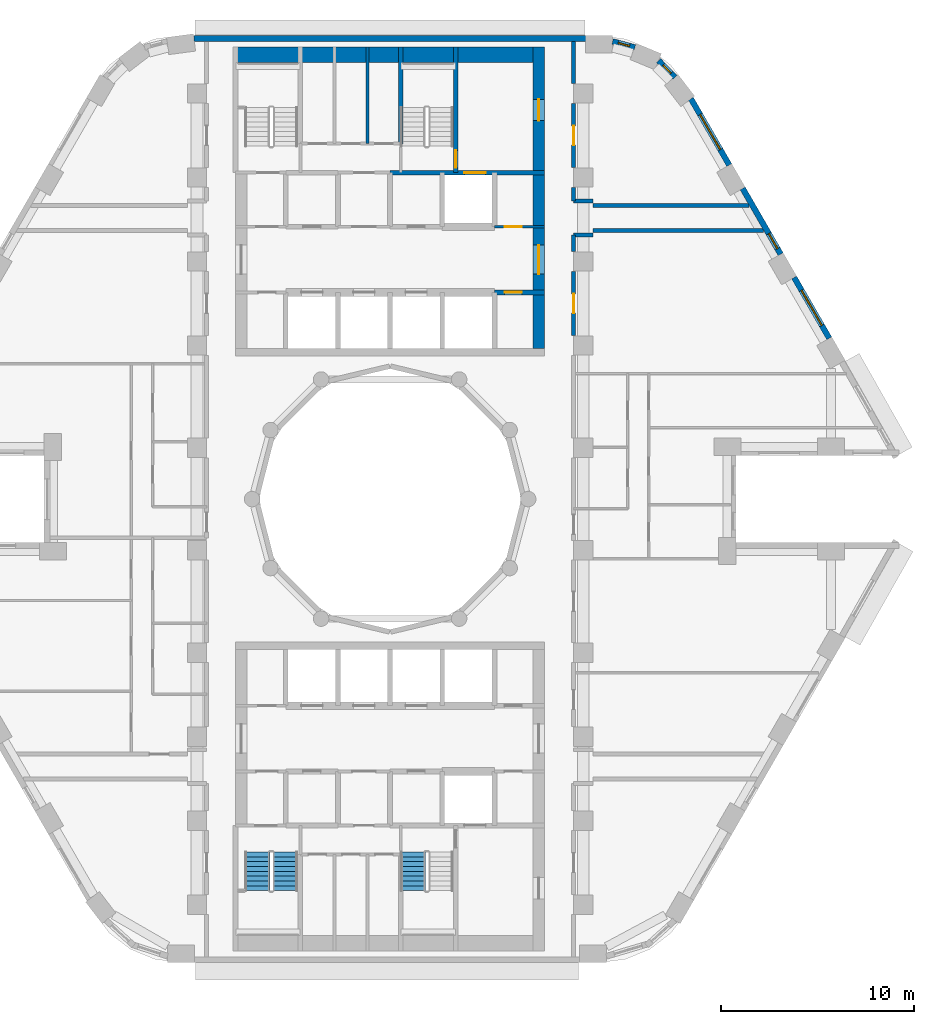
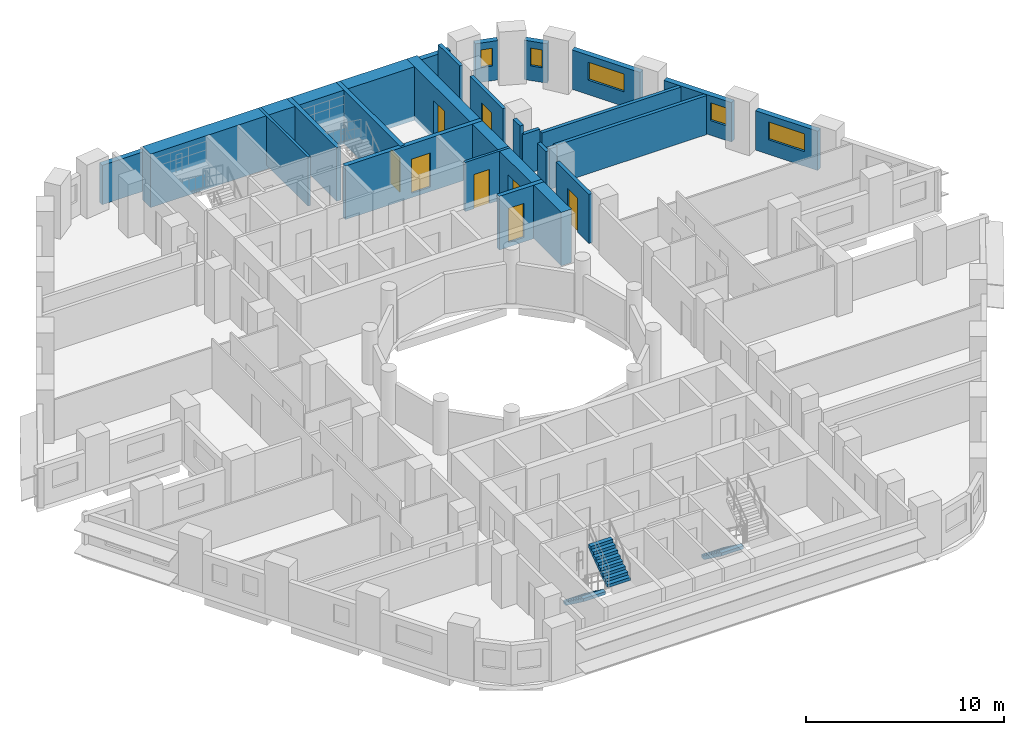
# One storey, part 8 of 12: 23 walls, 8 doors, 5 windows, 3 stair flights, 13 openings, 2 elements without a shape of their own.
"""IFC4 building model written with IfcOpenShell, lengths in metres."""

from ifc_helpers import new_model, si_unit, direction, frame, frame_2d, origin, place, context, subcontext, project, spatial, polyline, rectangle, outline, extrude, material, layer, layer_set, type_object, element, fill, aggregate, save


model = new_model("IFC4")

# Units and contexts
model_context = context("Model", 3, precision=1e-05, world=origin(), true_north=direction((0.0, 1.0)))
body_context = subcontext(model_context, "Body", "Model", "MODEL_VIEW")
ifc_project = project(units=[si_unit("LENGTHUNIT", "METRE"), si_unit("AREAUNIT", "SQUARE_METRE"), si_unit("VOLUMEUNIT", "CUBIC_METRE"), si_unit("PLANEANGLEUNIT", "RADIAN"), si_unit("MASSUNIT", "GRAM", prefix="KILO")], contexts=[model_context])

# Site, building, storey
site_placement = place(None, origin())
site = spatial("IfcSite", under=ifc_project, at=site_placement, CompositionType="ELEMENT")
building_placement = place(site_placement, origin())
building = spatial("IfcBuilding", under=site, at=building_placement, Name="Nakaniwa Court", CompositionType="ELEMENT")
storey_placement = place(building_placement, frame((0.0, 0.0, 97.5)))
storey = spatial("IfcBuildingStorey", under=building, at=storey_placement, Name="L25", CompositionType="ELEMENT", Elevation=97.5)

# Wall, opening, door
ifc_material_1 = material(Name="Acoustic double stud partition")
ifc_layer_1 = layer(ifc_material_1, 0.199951171875)
ifc_layer_set_1 = layer_set([ifc_layer_1], Name="Acoustic double stud partition")
wall_type_1 = type_object("IfcWallType", Name="Acoustic double stud partition 200", PredefinedType="PARTITIONING", material=ifc_layer_set_1)
wall_1_placement = place(storey_placement, frame((89.5, 91.782958984375, 0.0), z_axis=(0.0, 0.0, 1.0), x_axis=(0.0, -1.0, 0.0)))
wall_1 = element("IfcWall", 1, at=wall_1_placement, inside=storey, type_object=wall_type_1, Name="Partition PW-076", PredefinedType="PARTITIONING", context=body_context, shape_type="SweptSolid", body=[
    extrude(rectangle(XDim=3.31591796875, YDim=0.199951171875, at=frame_2d((1.657958984375, 0.0))), origin(), (0.0, 0.0, 1.0), 3.02490234375),
])
opening_1_placement = place(wall_1_placement, frame((1.157958984375, 0.0, 0.0)))
opening_1 = element("IfcOpeningElement", 2, at=opening_1_placement, cuts=wall_1, Name="Opening D-02-02", PredefinedType="OPENING", context=body_context, shape_type="SweptSolid", body=[
    extrude(rectangle(XDim=1.0, YDim=2.10009765625, at=frame_2d((0.5, 1.050048828125))), frame((0.0, 0.10986328125, 0.0), z_axis=(0.0, -1.0, 0.0), x_axis=(1.0, 0.0, 0.0)), (0.0, 0.0, 1.0), 0.219970703125),
])
ifc_material_2 = material(Name="Solid core timber door set, black veneer", Category="wood")
door_type_1 = type_object("IfcDoorType", Name="Internal door 1000", OperationType="NOTDEFINED", PredefinedType="DOOR", material=ifc_material_2)
door_1_placement = place(opening_1_placement, origin())
door_1 = element("IfcDoor", 3, at=door_1_placement, inside=storey, type_object=door_type_1, Name="Door D-02-02 L25-034", OperationType="SINGLE_SWING_LEFT", OverallHeight=2.10009765625, OverallWidth=1.0, PredefinedType="DOOR", context=body_context, shape_type="SweptSolid", body=[
    extrude(rectangle(XDim=1.0, YDim=2.10009765625, at=frame_2d((0.5, 1.050048828125))), frame((0.0, 0.02490234375, 0.0), z_axis=(0.0, -1.0, 0.0), x_axis=(1.0, 0.0, 0.0)), (0.0, 0.0, 1.0), 0.050048828125),
])
fill(opening_1, door_1)

# Walls
wall_2_placement = place(storey_placement, frame((89.5, 92.81689453125, 0.0), z_axis=(0.0, 0.0, 1.0), x_axis=(0.0, 1.0, 0.0)))
element("IfcWall", 4, at=wall_2_placement, inside=storey, type_object=wall_type_1, Name="Partition PW-077", PredefinedType="PARTITIONING", context=body_context, shape_type="SweptSolid", body=[
    extrude(rectangle(XDim=0.861083984375, YDim=0.199951171875, at=frame_2d((0.4306640625, 0.0))), origin(), (0.0, 0.0, 1.0), 3.02490234375),
])
wall_3_placement = place(storey_placement, frame((89.5, 95.422119140625, 0.0), z_axis=(0.0, 0.0, 1.0), x_axis=(0.0, 1.0, 0.0)))
element("IfcWall", 5, at=wall_3_placement, inside=storey, type_object=wall_type_1, Name="Partition PW-078", PredefinedType="PARTITIONING", context=body_context, shape_type="SweptSolid", body=[
    extrude(rectangle(XDim=0.7109375, YDim=0.199951171875, at=frame_2d((0.35546875, 0.0))), origin(), (0.0, 0.0, 1.0), 3.02490234375),
])

# Wall, opening, door
wall_4_placement = place(storey_placement, frame((89.5, 100.48291015625, 0.0), z_axis=(0.0, 0.0, 1.0), x_axis=(0.0, -1.0, 0.0)))
wall_4 = element("IfcWall", 6, at=wall_4_placement, inside=storey, type_object=wall_type_1, Name="Partition PW-079", PredefinedType="PARTITIONING", context=body_context, shape_type="SweptSolid", body=[
    extrude(rectangle(XDim=3.31591796875, YDim=0.199951171875, at=frame_2d((1.657958984375, 0.0))), origin(), (0.0, 0.0, 1.0), 3.02490234375),
])
opening_2_placement = place(wall_4_placement, frame((1.157958984375, 0.0, 0.0)))
opening_2 = element("IfcOpeningElement", 7, at=opening_2_placement, cuts=wall_4, Name="Opening D-02-07", PredefinedType="OPENING", context=body_context, shape_type="SweptSolid", body=[
    extrude(rectangle(XDim=1.0, YDim=2.10009765625, at=frame_2d((0.5, 1.050048828125))), frame((0.0, 0.10986328125, 0.0), z_axis=(0.0, -1.0, 0.0), x_axis=(1.0, 0.0, 0.0)), (0.0, 0.0, 1.0), 0.219970703125),
])
door_2_placement = place(opening_2_placement, origin())
door_2 = element("IfcDoor", 8, at=door_2_placement, inside=storey, type_object=door_type_1, Name="Door D-02-07 L25-049", OperationType="SINGLE_SWING_RIGHT", OverallHeight=2.10009765625, OverallWidth=1.0, PredefinedType="DOOR", context=body_context, shape_type="SweptSolid", body=[
    extrude(rectangle(XDim=1.0, YDim=2.10009765625, at=frame_2d((0.5, 1.050048828125))), frame((0.0, 0.02490234375, 0.0), z_axis=(0.0, -1.0, 0.0), x_axis=(1.0, 0.0, 0.0)), (0.0, 0.0, 1.0), 0.050048828125),
])
fill(opening_2, door_2)

# Walls
wall_5_placement = place(storey_placement, frame((89.5, 101.51708984375, 0.0), z_axis=(0.0, 0.0, 1.0), x_axis=(0.0, 1.0, 0.0)))
element("IfcWall", 9, at=wall_5_placement, inside=storey, type_object=wall_type_1, Name="Partition PW-080", PredefinedType="PARTITIONING", context=body_context, shape_type="SweptSolid", body=[
    extrude(rectangle(XDim=2.182861328125, YDim=0.199951171875, at=frame_2d((1.09130859375, 0.0))), origin(), (0.0, 0.0, 1.0), 3.02490234375),
])
wall_6_placement = place(storey_placement, frame((90.5, 93.89990234375, 0.0), z_axis=(0.0, 0.0, 1.0), x_axis=(1.0, 0.0, 0.0)))
element("IfcWall", 10, at=wall_6_placement, inside=storey, type_object=wall_type_1, Name="Partition PW-082", PredefinedType="PARTITIONING", context=body_context, shape_type="SweptSolid", body=[
    extrude(rectangle(XDim=8.84130859375, YDim=0.199951171875, at=frame_2d((4.420654296875, 0.0))), origin(), (0.0, 0.0, 1.0), 2.405029296875),
])
for number, where, z_axis, x_axis, name in (
    (11, (89.5, 93.675048828125, 0.0), (0.0, 0.0, 1.0), (1.0, 0.0, 0.0), "Partition PW-084"),
    (12, (89.5, 95.425048828125, 0.0), (0.0, 0.0, 1.0), (1.0, 0.0, 0.0), "Partition PW-086"),
):
    element("IfcWall", number, at=place(storey_placement, frame(where, z_axis=z_axis, x_axis=x_axis)), inside=storey, type_object=wall_type_1, Name=name, PredefinedType="PARTITIONING", context=body_context, shape_type="SweptSolid", body=[
        extrude(rectangle(XDim=1.0, YDim=0.199951171875, at=frame_2d((0.5, 0.0))), origin(), (0.0, 0.0, 1.0), 2.5048828125),
    ])
wall_7_placement = place(storey_placement, frame((90.5, 95.199951171875, 0.0), z_axis=(0.0, 0.0, 1.0), x_axis=(1.0, 0.0, 0.0)))
element("IfcWall", 13, at=wall_7_placement, inside=storey, type_object=wall_type_1, Name="Partition PW-088", PredefinedType="PARTITIONING", context=body_context, shape_type="SweptSolid", body=[
    extrude(rectangle(XDim=8.0908203125, YDim=0.199951171875, at=frame_2d((4.04541015625, 0.0))), origin(), (0.0, 0.0, 1.0), 2.405029296875),
])

# Wall, opening, window
ifc_material_3 = material(Name="Charcoal ceramic cladding")
ifc_layer_2 = layer(ifc_material_3, 0.02, Name="Ceramic cladding")
ifc_material_4 = material(Name="Ventilated air cavity")
ifc_layer_3 = layer(ifc_material_4, 0.04, ventilated=True, Name="Ventilated cavity")
ifc_material_5 = material(Name="Mineral wool insulation")
ifc_layer_4 = layer(ifc_material_5, 0.1, Name="Insulation")
ifc_material_6 = material(Name="Cement bonded sheathing board")
ifc_layer_5 = layer(ifc_material_6, 0.012, Name="Sheathing")
ifc_material_7 = material(Name="Cold-formed galvanised stud frame with mineral wool infill")
ifc_layer_6 = layer(ifc_material_7, 0.1, Name="Stud frame")
ifc_material_8 = material(Name="Fire-rated gypsum plasterboard lining")
ifc_layer_7 = layer(ifc_material_8, 0.028, Name="Lining")
ifc_layer_set_2 = layer_set([ifc_layer_2, ifc_layer_3, ifc_layer_4, ifc_layer_5, ifc_layer_6, ifc_layer_7], Name="Charcoal ceramic faced external wall system")
wall_type_2 = type_object("IfcWallType", Name="Black ceramic faced external wall 300", PredefinedType="SOLIDWALL", material=ifc_layer_set_2)
wall_8_placement = place(storey_placement, frame((102.734619140625, 88.322509765625, 0.0), z_axis=(0.0, 0.0, 1.0), x_axis=(-0.500009139881, 0.866020126807, 0.0)))
wall_8 = element("IfcWall", 14, at=wall_8_placement, inside=storey, type_object=wall_type_2, Name="L25 external wall 03", PredefinedType="SOLIDWALL", context=body_context, shape_type="SweptSolid", body=[
    extrude(rectangle(XDim=3.63671875, YDim=0.300048828125, at=frame_2d((1.818359375, 0.0))), origin(), (0.0, 0.0, 1.0), 2.425048828125),
])
opening_3_placement = place(wall_8_placement, frame((0.768310546875, 0.0, 0.89990234375)))
opening_3 = element("IfcOpeningElement", 15, at=opening_3_placement, cuts=wall_8, Name="Opening W7.05", PredefinedType="OPENING", context=body_context, shape_type="SweptSolid", body=[
    extrude(rectangle(XDim=2.10009765625, YDim=1.10009765625, at=frame_2d((1.050048828125, 0.550048828125))), frame((0.0, 0.159912109375, 0.0), z_axis=(0.0, -1.0, 0.0), x_axis=(1.0, 0.0, 0.0)), (0.0, 0.0, 1.0), 0.320068359375),
])
ifc_material_9 = material(Name="Black anodised aluminium frame with dark low-E laminated double glazing", Category="aluminium")
window_type_1 = type_object("IfcWindowType", Name="Dark glass window 2100x1100 sill 900", PartitioningType="SINGLE_PANEL", PredefinedType="WINDOW", material=ifc_material_9)
window_1_placement = place(opening_3_placement, origin())
window_1 = element("IfcWindow", 16, at=window_1_placement, inside=storey, type_object=window_type_1, Name="L25 habitable room window 03-0", OverallHeight=1.10009765625, OverallWidth=2.10009765625, PartitioningType="SINGLE_PANEL", PredefinedType="WINDOW", context=body_context, shape_type="SweptSolid", body=[
    extrude(rectangle(XDim=2.10009765625, YDim=1.10009765625, at=frame_2d((1.050048828125, 0.550048828125))), frame((0.0, 0.030029296875, 0.0), z_axis=(0.0, -1.0, 0.0), x_axis=(1.0, 0.0, 0.0)), (0.0, 0.0, 1.0), 0.06005859375),
])
fill(opening_3, window_1)

wall_9_placement = place(storey_placement, frame((100.22021484375, 92.677490234375, 0.0), z_axis=(0.0, 0.0, 1.0), x_axis=(-0.499957037901, 0.866050206543, 0.0)))
wall_9 = element("IfcWall", 17, at=wall_9_placement, inside=storey, type_object=wall_type_2, Name="L25 external wall 04", PredefinedType="SOLIDWALL", context=body_context, shape_type="SweptSolid", body=[
    extrude(rectangle(XDim=3.933837890625, YDim=0.300048828125, at=frame_2d((1.966796875, 0.0))), origin(), (0.0, 0.0, 1.0), 2.425048828125),
])
opening_4_placement = place(wall_9_placement, frame((0.329833984375, 0.0, 0.89990234375)))
opening_4 = element("IfcOpeningElement", 18, at=opening_4_placement, cuts=wall_9, Name="Opening W9.06", PredefinedType="OPENING", context=body_context, shape_type="SweptSolid", body=[
    extrude(rectangle(XDim=0.89990234375, YDim=1.10009765625, at=frame_2d((0.449951171875, 0.550048828125))), frame((0.0, 0.159912109375, 0.0), z_axis=(0.0, -1.0, 0.0), x_axis=(1.0, 0.0, 0.0)), (0.0, 0.0, 1.0), 0.320068359375),
])
window_type_2 = type_object("IfcWindowType", Name="Dark glass window 900x1100 sill 900", PartitioningType="SINGLE_PANEL", PredefinedType="WINDOW", material=ifc_material_9)
window_2_placement = place(opening_4_placement, origin())
window_2 = element("IfcWindow", 19, at=window_2_placement, inside=storey, type_object=window_type_2, Name="L25 habitable room window 04-0", OverallHeight=1.10009765625, OverallWidth=0.89990234375, PartitioningType="SINGLE_PANEL", PredefinedType="WINDOW", context=body_context, shape_type="SweptSolid", body=[
    extrude(rectangle(XDim=0.89990234375, YDim=1.10009765625, at=frame_2d((0.449951171875, 0.550048828125))), frame((0.0, 0.030029296875, 0.0), z_axis=(0.0, -1.0, 0.0), x_axis=(1.0, 0.0, 0.0)), (0.0, 0.0, 1.0), 0.06005859375),
])
fill(opening_4, window_2)

wall_10_placement = place(storey_placement, frame((97.557373046875, 97.289794921875, 0.0), z_axis=(0.0, 0.0, 1.0), x_axis=(-0.500043828347, 0.866000097998, 0.0)))
wall_10 = element("IfcWall", 20, at=wall_10_placement, inside=storey, type_object=wall_type_2, Name="L25 external wall 05", PredefinedType="SOLIDWALL", context=body_context, shape_type="SweptSolid", body=[
    extrude(rectangle(XDim=3.967529296875, YDim=0.300048828125, at=frame_2d((1.98388671875, 0.0))), origin(), (0.0, 0.0, 1.0), 2.425048828125),
])
opening_5_placement = place(wall_10_placement, frame((0.92236328125, 0.0, 0.89990234375)))
opening_5 = element("IfcOpeningElement", 21, at=opening_5_placement, cuts=wall_10, Name="Opening W7.07", PredefinedType="OPENING", context=body_context, shape_type="SweptSolid", body=[
    extrude(rectangle(XDim=2.10009765625, YDim=1.10009765625, at=frame_2d((1.050048828125, 0.550048828125))), frame((0.0, 0.159912109375, 0.0), z_axis=(0.0, -1.0, 0.0), x_axis=(1.0, 0.0, 0.0)), (0.0, 0.0, 1.0), 0.320068359375),
])
window_3_placement = place(opening_5_placement, origin())
window_3 = element("IfcWindow", 22, at=window_3_placement, inside=storey, type_object=window_type_1, Name="L25 habitable room window 05-0", OverallHeight=1.10009765625, OverallWidth=2.10009765625, PartitioningType="SINGLE_PANEL", PredefinedType="WINDOW", context=body_context, shape_type="SweptSolid", body=[
    extrude(rectangle(XDim=2.10009765625, YDim=1.10009765625, at=frame_2d((1.050048828125, 0.550048828125))), frame((0.0, 0.030029296875, 0.0), z_axis=(0.0, -1.0, 0.0), x_axis=(1.0, 0.0, 0.0)), (0.0, 0.0, 1.0), 0.06005859375),
])
fill(opening_5, window_3)

wall_11_placement = place(storey_placement, frame((94.738037109375, 101.839111328125, 0.0), z_axis=(0.0, 0.0, 1.0), x_axis=(-0.697032216592, 0.717039809936, 0.0)))
wall_11 = element("IfcWall", 23, at=wall_11_placement, inside=storey, type_object=wall_type_2, Name="L25 external wall 06", PredefinedType="SOLIDWALL", context=body_context, shape_type="SweptSolid", body=[
    extrude(rectangle(XDim=1.2080078125, YDim=0.300048828125, at=frame_2d((0.60400390625, 0.0))), origin(), (0.0, 0.0, 1.0), 2.425048828125),
])
opening_6_placement = place(wall_11_placement, frame((0.279296875, 0.0, 0.89990234375)))
opening_6 = element("IfcOpeningElement", 24, at=opening_6_placement, cuts=wall_11, Name="Opening W8.08", PredefinedType="OPENING", context=body_context, shape_type="SweptSolid", body=[
    extrude(rectangle(XDim=0.60009765625, YDim=1.10009765625, at=frame_2d((0.300048828125, 0.550048828125))), frame((0.0, 0.159912109375, 0.0), z_axis=(0.0, -1.0, 0.0), x_axis=(1.0, 0.0, 0.0)), (0.0, 0.0, 1.0), 0.320068359375),
])
window_type_3 = type_object("IfcWindowType", Name="Dark glass window 600x1100 sill 900", PartitioningType="SINGLE_PANEL", PredefinedType="WINDOW", material=ifc_material_9)
window_4_placement = place(opening_6_placement, origin())
window_4 = element("IfcWindow", 25, at=window_4_placement, inside=storey, type_object=window_type_3, Name="L25 habitable room window 06-0", OverallHeight=1.10009765625, OverallWidth=0.60009765625, PartitioningType="SINGLE_PANEL", PredefinedType="WINDOW", context=body_context, shape_type="SweptSolid", body=[
    extrude(rectangle(XDim=0.60009765625, YDim=1.10009765625, at=frame_2d((0.300048828125, 0.550048828125))), frame((0.0, 0.030029296875, 0.0), z_axis=(0.0, -1.0, 0.0), x_axis=(1.0, 0.0, 0.0)), (0.0, 0.0, 1.0), 0.06005859375),
])
fill(opening_6, window_4)

wall_12_placement = place(storey_placement, frame((92.669189453125, 103.3818359375, 0.0), z_axis=(0.0, 0.0, 1.0), x_axis=(-0.965278131029, 0.261224290136, 0.0)))
wall_12 = element("IfcWall", 26, at=wall_12_placement, inside=storey, type_object=wall_type_2, Name="L25 external wall 07", PredefinedType="SOLIDWALL", context=body_context, shape_type="SweptSolid", body=[
    extrude(rectangle(XDim=1.189697265625, YDim=0.300048828125, at=frame_2d((0.5947265625, 0.0))), origin(), (0.0, 0.0, 1.0), 2.425048828125),
])
opening_7_placement = place(wall_12_placement, frame((0.28466796875, 0.0, 0.89990234375)))
opening_7 = element("IfcOpeningElement", 27, at=opening_7_placement, cuts=wall_12, Name="Opening W8.09", PredefinedType="OPENING", context=body_context, shape_type="SweptSolid", body=[
    extrude(rectangle(XDim=0.60009765625, YDim=1.10009765625, at=frame_2d((0.300048828125, 0.550048828125))), frame((0.0, 0.159912109375, 0.0), z_axis=(0.0, -1.0, 0.0), x_axis=(1.0, 0.0, 0.0)), (0.0, 0.0, 1.0), 0.320068359375),
])
window_5_placement = place(opening_7_placement, origin())
window_5 = element("IfcWindow", 28, at=window_5_placement, inside=storey, type_object=window_type_3, Name="L25 habitable room window 07-0", OverallHeight=1.10009765625, OverallWidth=0.60009765625, PartitioningType="SINGLE_PANEL", PredefinedType="WINDOW", context=body_context, shape_type="SweptSolid", body=[
    extrude(rectangle(XDim=0.60009765625, YDim=1.10009765625, at=frame_2d((0.300048828125, 0.550048828125))), frame((0.0, 0.030029296875, 0.0), z_axis=(0.0, -1.0, 0.0), x_axis=(1.0, 0.0, 0.0)), (0.0, 0.0, 1.0), 0.06005859375),
])
fill(opening_7, window_5)

# Wall
wall_13_placement = place(storey_placement, frame((90.128662109375, 103.85009765625, 0.0), z_axis=(0.0, 0.0, 1.0), x_axis=(-1.0, 0.0, 0.0)))
element("IfcWall", 29, at=wall_13_placement, inside=storey, type_object=wall_type_2, Name="L25 external wall 08", PredefinedType="SOLIDWALL", context=body_context, shape_type="SweptSolid", body=[
    extrude(rectangle(XDim=20.290771484375, YDim=0.300048828125, at=frame_2d((10.1455078125, 0.0))), origin(), (0.0, 0.0, 1.0), 2.425048828125),
])

# Wall, opening, door
ifc_material_10 = material(Name="Blockwork partition", Category="masonry")
ifc_layer_8 = layer(ifc_material_10, 0.14990234375)
ifc_layer_set_3 = layer_set([ifc_layer_8], Name="Blockwork partition")
wall_type_3 = type_object("IfcWallType", Name="Blockwork partition 150", PredefinedType="PARTITIONING", material=ifc_layer_set_3)
wall_14_placement = place(storey_placement, frame((85.39697265625, 94.10009765625, 0.0), z_axis=(0.0, 0.0, 1.0), x_axis=(1.0, 0.0, 0.0)))
wall_14 = element("IfcWall", 30, at=wall_14_placement, inside=storey, type_object=wall_type_3, Name="Partition PW-018", PredefinedType="PARTITIONING", context=body_context, shape_type="SweptSolid", body=[
    extrude(rectangle(XDim=2.60302734375, YDim=0.14990234375, at=frame_2d((1.301513671875, 0.0))), origin(), (0.0, 0.0, 1.0), 3.02490234375),
])
opening_8_placement = place(wall_14_placement, frame((0.528076171875, 0.0, 0.0)))
opening_8 = element("IfcOpeningElement", 31, at=opening_8_placement, cuts=wall_14, Name="Opening D-05-05", PredefinedType="OPENING", context=body_context, shape_type="SweptSolid", body=[
    extrude(rectangle(XDim=0.89990234375, YDim=2.10009765625, at=frame_2d((0.449951171875, 1.050048828125))), frame((0.0, 0.0849609375, 0.0), z_axis=(0.0, -1.0, 0.0), x_axis=(1.0, 0.0, 0.0)), (0.0, 0.0, 1.0), 0.169921875),
])
ifc_material_11 = material(Name="Fire rated steel door set", Category="steel")
door_type_2 = type_object("IfcDoorType", Name="Service room door 900", OperationType="NOTDEFINED", PredefinedType="DOOR", material=ifc_material_11)
door_3_placement = place(opening_8_placement, origin())
door_3 = element("IfcDoor", 32, at=door_3_placement, inside=storey, type_object=door_type_2, Name="Door D-05-05 L25-007", OperationType="SINGLE_SWING_RIGHT", OverallHeight=2.10009765625, OverallWidth=0.89990234375, PredefinedType="DOOR", context=body_context, shape_type="SweptSolid", body=[
    extrude(rectangle(XDim=0.89990234375, YDim=2.10009765625, at=frame_2d((0.449951171875, 1.050048828125))), frame((0.0, 0.02490234375, 0.0), z_axis=(0.0, -1.0, 0.0), x_axis=(1.0, 0.0, 0.0)), (0.0, 0.0, 1.0), 0.050048828125),
])
fill(opening_8, door_3)

# Wall
wall_15_placement = place(storey_placement, frame((78.833984375, 98.39990234375, 0.0), z_axis=(0.0, 0.0, 1.0), x_axis=(0.0, 1.0, 0.0)))
element("IfcWall", 33, at=wall_15_placement, inside=storey, type_object=wall_type_3, Name="Partition PW-034", PredefinedType="PARTITIONING", context=body_context, shape_type="SweptSolid", body=[
    extrude(rectangle(XDim=5.0, YDim=0.14990234375, at=frame_2d((2.5, 0.0))), origin(), (0.0, 0.0, 1.0), 3.02490234375),
])

# Wall, openings, doors
ifc_material_12 = material(Name="Concrete C80/100", Category="concrete")
ifc_layer_9 = layer(ifc_material_12, 0.60009765625)
ifc_layer_set_4 = layer_set([ifc_layer_9], Name="Concrete C80/100")
wall_type_4 = type_object("IfcWallType", Name="Concrete core side wall 600 C80", PredefinedType="SHEAR", material=ifc_layer_set_4)
wall_16_placement = place(storey_placement, frame((87.699951171875, 103.39990234375, -0.27490234375), z_axis=(0.0, 0.0, 1.0), x_axis=(0.0, -1.0, 0.0)))
wall_16 = element("IfcWall", 34, at=wall_16_placement, inside=storey, type_object=wall_type_4, Name="Core wall SW-15", PredefinedType="SHEAR", context=body_context, shape_type="SweptSolid", body=[
    extrude(rectangle(XDim=15.599853515625, YDim=0.60009765625, at=frame_2d((7.7998046875, 0.0))), origin(), (0.0, 0.0, 1.0), 3.2998046875),
])
opening_9_placement = place(wall_16_placement, frame((10.25, 0.0, 0.27490234375)))
opening_9 = element("IfcOpeningElement", 35, at=opening_9_placement, cuts=wall_16, Name="Opening D-07-01", PredefinedType="OPENING", context=body_context, shape_type="SweptSolid", body=[
    extrude(rectangle(XDim=1.5, YDim=2.10009765625, at=frame_2d((0.75, 1.050048828125))), frame((0.0, 0.31005859375, 0.0), z_axis=(0.0, -1.0, 0.0), x_axis=(1.0, 0.0, 0.0)), (0.0, 0.0, 1.0), 0.6201171875),
])
opening_10_placement = place(wall_16_placement, frame((2.699951171875, 0.0, 0.27490234375)))
opening_10 = element("IfcOpeningElement", 36, at=opening_10_placement, cuts=wall_16, Name="Opening D-10-01", PredefinedType="OPENING", context=body_context, shape_type="SweptSolid", body=[
    extrude(rectangle(XDim=1.10009765625, YDim=2.10009765625, at=frame_2d((0.550048828125, 1.050048828125))), frame((0.0, 0.31005859375, 0.0), z_axis=(0.0, -1.0, 0.0), x_axis=(1.0, 0.0, 0.0)), (0.0, 0.0, 1.0), 0.6201171875),
])
door_type_3 = type_object("IfcDoorType", Name="Firefighting lobby door 1100", OperationType="NOTDEFINED", PredefinedType="DOOR", material=ifc_material_11)
door_4_placement = place(opening_10_placement, origin())
door_4 = element("IfcDoor", 37, at=door_4_placement, inside=storey, type_object=door_type_3, Name="Door D-10-01 L25-053", OperationType="SINGLE_SWING_RIGHT", OverallHeight=2.10009765625, OverallWidth=1.10009765625, PredefinedType="DOOR", context=body_context, shape_type="SweptSolid", body=[
    extrude(rectangle(XDim=1.10009765625, YDim=2.10009765625, at=frame_2d((0.550048828125, 1.050048828125))), frame((0.0, 0.02490234375, 0.0), z_axis=(0.0, -1.0, 0.0), x_axis=(1.0, 0.0, 0.0)), (0.0, 0.0, 1.0), 0.050048828125),
])
fill(opening_10, door_4)
ifc_material_13 = material(Name="Glazed fire rated steel double door set", Category="steel")
door_type_4 = type_object("IfcDoorType", Name="Lobby double door 1500", OperationType="NOTDEFINED", PredefinedType="DOOR", material=ifc_material_13)
door_5_placement = place(opening_9_placement, origin())
door_5 = element("IfcDoor", 38, at=door_5_placement, inside=storey, type_object=door_type_4, Name="Door D-07-01 L25-051", OperationType="DOUBLE_DOOR_SINGLE_SWING", OverallHeight=2.10009765625, OverallWidth=1.5, PredefinedType="DOOR", context=body_context, shape_type="SweptSolid", body=[
    extrude(rectangle(XDim=1.5, YDim=2.10009765625, at=frame_2d((0.75, 1.050048828125))), frame((0.0, 0.02490234375, 0.0), z_axis=(0.0, -1.0, 0.0), x_axis=(1.0, 0.0, 0.0)), (0.0, 0.0, 1.0), 0.050048828125),
])
fill(opening_9, door_5)

# Wall
ifc_layer_10 = layer(ifc_material_12, 0.800048828125)
ifc_layer_set_5 = layer_set([ifc_layer_10], Name="Concrete C80/100")
wall_type_5 = type_object("IfcWallType", Name="Concrete core wall 800 C80", PredefinedType="SHEAR", material=ifc_layer_set_5)
wall_17_placement = place(storey_placement, frame((72.00390625, 103.0, -0.27490234375), z_axis=(0.0, 0.0, 1.0), x_axis=(1.0, 0.0, 0.0)))
element("IfcWall", 39, at=wall_17_placement, inside=storey, type_object=wall_type_5, Name="Core wall SW-130", PredefinedType="SHEAR", context=body_context, shape_type="SweptSolid", body=[
    extrude(rectangle(XDim=15.9921875, YDim=0.800048828125, at=frame_2d((7.99609375, 0.0))), origin(), (0.0, 0.0, 1.0), 3.2998046875),
])

# Wall, opening, door
ifc_layer_11 = layer(ifc_material_12, 0.25)
ifc_layer_set_6 = layer_set([ifc_layer_11], Name="Concrete C80/100")
wall_type_6 = type_object("IfcWallType", Name="Concrete shaft wall 250 C80", PredefinedType="SHEAR", material=ifc_layer_set_6)
wall_18_placement = place(storey_placement, frame((88.0, 90.699951171875, -0.27490234375), z_axis=(0.0, 0.0, 1.0), x_axis=(-1.0, 0.0, 0.0)))
wall_18 = element("IfcWall", 40, at=wall_18_placement, inside=storey, type_object=wall_type_6, Name="Core wall SW-14", PredefinedType="SHEAR", context=body_context, shape_type="SweptSolid", body=[
    extrude(rectangle(XDim=2.60009765625, YDim=0.25, at=frame_2d((1.300048828125, 0.0))), origin(), (0.0, 0.0, 1.0), 3.2998046875),
])
opening_11_placement = place(wall_18_placement, frame((1.175048828125, 0.0, 0.27490234375)))
opening_11 = element("IfcOpeningElement", 41, at=opening_11_placement, cuts=wall_18, Name="Opening D-05-02", PredefinedType="OPENING", context=body_context, shape_type="SweptSolid", body=[
    extrude(rectangle(XDim=0.89990234375, YDim=2.10009765625, at=frame_2d((0.449951171875, 1.050048828125))), frame((0.0, 0.135009765625, 0.0), z_axis=(0.0, -1.0, 0.0), x_axis=(1.0, 0.0, 0.0)), (0.0, 0.0, 1.0), 0.27001953125),
])
door_6_placement = place(opening_11_placement, origin())
door_6 = element("IfcDoor", 42, at=door_6_placement, inside=storey, type_object=door_type_2, Name="Door D-05-02 L25-002", OperationType="SINGLE_SWING_LEFT", OverallHeight=2.10009765625, OverallWidth=0.89990234375, PredefinedType="DOOR", context=body_context, shape_type="SweptSolid", body=[
    extrude(rectangle(XDim=0.89990234375, YDim=2.10009765625, at=frame_2d((0.449951171875, 1.050048828125))), frame((0.0, 0.02490234375, 0.0), z_axis=(0.0, -1.0, 0.0), x_axis=(1.0, 0.0, 0.0)), (0.0, 0.0, 1.0), 0.050048828125),
])
fill(opening_11, door_6)

wall_19_placement = place(storey_placement, frame((80.0, 96.89990234375, -0.27490234375), z_axis=(0.0, 0.0, 1.0), x_axis=(1.0, 0.0, 0.0)))
wall_19 = element("IfcWall", 43, at=wall_19_placement, inside=storey, type_object=wall_type_6, Name="Core wall SW-24", PredefinedType="SHEAR", context=body_context, shape_type="SweptSolid", body=[
    extrude(rectangle(XDim=8.0, YDim=0.25, at=frame_2d((4.0, 0.0))), origin(), (0.0, 0.0, 1.0), 3.2998046875),
])
opening_12_placement = place(wall_19_placement, frame((3.84912109375, 0.0, 0.27490234375)))
opening_12 = element("IfcOpeningElement", 44, at=opening_12_placement, cuts=wall_19, Name="Opening LD04", PredefinedType="OPENING", context=body_context, shape_type="SweptSolid", body=[
    extrude(rectangle(XDim=1.10009765625, YDim=2.10009765625, at=frame_2d((0.550048828125, 1.050048828125))), frame((0.0, 0.135009765625, 0.0), z_axis=(0.0, -1.0, 0.0), x_axis=(1.0, 0.0, 0.0)), (0.0, 0.0, 1.0), 0.27001953125),
])
ifc_material_14 = material(Name="Stainless steel sliding lift landing door", Category="steel")
door_type_5 = type_object("IfcDoorType", Name="Lift landing door 1100", OperationType="NOTDEFINED", PredefinedType="DOOR", material=ifc_material_14)
door_7_placement = place(opening_12_placement, origin())
door_7 = element("IfcDoor", 45, at=door_7_placement, inside=storey, type_object=door_type_5, Name="Lift landing door LD04 L25-004", OperationType="SLIDING_TO_LEFT", OverallHeight=2.10009765625, OverallWidth=1.10009765625, PredefinedType="DOOR", context=body_context, shape_type="SweptSolid", body=[
    extrude(rectangle(XDim=1.10009765625, YDim=2.10009765625, at=frame_2d((0.550048828125, 1.050048828125))), frame((0.0, 0.02490234375, 0.0), z_axis=(0.0, -1.0, 0.0), x_axis=(1.0, 0.0, 0.0)), (0.0, 0.0, 1.0), 0.050048828125),
])
fill(opening_12, door_7)

wall_20_placement = place(storey_placement, frame((83.39990234375, 103.39990234375, -0.27490234375), z_axis=(0.0, 0.0, 1.0), x_axis=(0.0, -1.0, 0.0)))
wall_20 = element("IfcWall", 46, at=wall_20_placement, inside=storey, type_object=wall_type_6, Name="Core wall SW-29", PredefinedType="SHEAR", context=body_context, shape_type="SweptSolid", body=[
    extrude(rectangle(XDim=6.5, YDim=0.25, at=frame_2d((3.25, 0.0))), origin(), (0.0, 0.0, 1.0), 3.2998046875),
])
opening_13_placement = place(wall_20_placement, frame((5.35009765625, 0.0, 0.27490234375)))
opening_13 = element("IfcOpeningElement", 47, at=opening_13_placement, cuts=wall_20, Name="Opening D-11-01", PredefinedType="OPENING", context=body_context, shape_type="SweptSolid", body=[
    extrude(rectangle(XDim=0.89990234375, YDim=2.10009765625, at=frame_2d((0.449951171875, 1.050048828125))), frame((0.0, 0.135009765625, 0.0), z_axis=(0.0, -1.0, 0.0), x_axis=(1.0, 0.0, 0.0)), (0.0, 0.0, 1.0), 0.27001953125),
])
door_type_6 = type_object("IfcDoorType", Name="Stair door 900", OperationType="NOTDEFINED", PredefinedType="DOOR", material=ifc_material_11)
door_8_placement = place(opening_13_placement, origin())
door_8 = element("IfcDoor", 48, at=door_8_placement, inside=storey, type_object=door_type_6, Name="Door D-11-01 L25-013", OperationType="SINGLE_SWING_LEFT", OverallHeight=2.10009765625, OverallWidth=0.89990234375, PredefinedType="DOOR", context=body_context, shape_type="SweptSolid", body=[
    extrude(rectangle(XDim=0.89990234375, YDim=2.10009765625, at=frame_2d((0.449951171875, 1.050048828125))), frame((0.0, 0.02490234375, 0.0), z_axis=(0.0, -1.0, 0.0), x_axis=(1.0, 0.0, 0.0)), (0.0, 0.0, 1.0), 0.050048828125),
])
fill(opening_13, door_8)

# Wall
wall_21_placement = place(storey_placement, frame((80.550048828125, 98.39697265625, -0.27490234375), z_axis=(0.0, 0.0, 1.0), x_axis=(0.0, 1.0, 0.0)))
element("IfcWall", 49, at=wall_21_placement, inside=storey, type_object=wall_type_6, Name="Core wall SW-31", PredefinedType="SHEAR", context=body_context, shape_type="SweptSolid", body=[
    extrude(rectangle(XDim=5.0029296875, YDim=0.25, at=frame_2d((2.50146484375, 0.0))), origin(), (0.0, 0.0, 1.0), 3.2998046875),
])

# Stair, stair flights
stair_type = type_object("IfcStairType", Name="Dog leg stair 1300 wide 18 risers", PredefinedType="HALF_TURN_STAIR", material=ifc_material_12)
stair_1_placement = place(storey_placement, origin())
stair_1 = element("IfcStair", 50, at=stair_1_placement, inside=storey, type_object=stair_type, Name="L25 Stair ST3", PredefinedType="HALF_TURN_STAIR")
stair_flight_type = type_object("IfcStairFlightType", Name="Stair flight 1300 wide 9 risers", PredefinedType="STRAIGHT", material=ifc_material_12)
stair_flight_1_placement = place(storey_placement, frame((73.125, 61.72509765625, 0.0), z_axis=(0.0, 0.0, 1.0), x_axis=(0.0, -1.0, 0.0)))
stair_flight_1 = element("IfcStairFlight", 51, at=stair_flight_1_placement, type_object=stair_flight_type, Name="ST3 flight 1", NumberOfRisers=9, NumberOfTreads=8, PredefinedType="STRAIGHT", RiserHeight=0.183333333, TreadLength=0.25, context=body_context, shape_type="SweptSolid", body=[
    extrude(outline(polyline([(0.0, 0.0), (0.0, 0.026123046875), (0.0, 0.052490234375), (0.0, 0.07861328125), (0.0, 0.104736328125), (0.0, 0.130859375), (0.0, 0.1572265625), (0.0, 0.183349609375), (0.25, 0.183349609375), (0.25, 0.36669921875), (0.5, 0.36669921875), (0.5, 0.550048828125), (0.75, 0.550048828125), (0.75, 0.7333984375), (1.0, 0.7333984375), (1.0, 0.916748046875), (1.25, 0.916748046875), (1.25, 1.10009765625), (1.5, 1.10009765625), (1.5, 1.283447265625), (1.75, 1.283447265625), (1.75, 1.466552734375), (2.0, 1.466552734375), (2.0, 1.64990234375), (2.0, 1.59716796875), (2.0, 1.54443359375), (2.0, 1.49169921875), (2.0, 1.43896484375), (2.0, 1.38623046875), (2.0, 1.33349609375), (2.0, 1.28076171875), (0.25341796875, 0.0), (0.0, 0.0)])), frame((0.0, 0.64990234375, 0.0), z_axis=(0.0, -1.0, 0.0), x_axis=(1.0, 0.0, 0.0)), (0.0, 0.0, 1.0), 1.300048828125),
])
stair_flight_2_placement = place(storey_placement, frame((74.574951171875, 59.72509765625, 1.64990234375), z_axis=(0.0, 0.0, 1.0), x_axis=(0.0, 1.0, 0.0)))
stair_flight_2 = element("IfcStairFlight", 52, at=stair_flight_2_placement, type_object=stair_flight_type, Name="ST3 flight 2", NumberOfRisers=9, NumberOfTreads=8, PredefinedType="STRAIGHT", RiserHeight=0.183333333, TreadLength=0.25, context=body_context, shape_type="SweptSolid", body=[
    extrude(outline(polyline([(0.0, 0.0), (0.0, 0.026123046875), (0.0, 0.052490234375), (0.0, 0.07861328125), (0.0, 0.104736328125), (0.0, 0.130859375), (0.0, 0.1572265625), (0.0, 0.183349609375), (0.25, 0.183349609375), (0.25, 0.36669921875), (0.5, 0.36669921875), (0.5, 0.550048828125), (0.75, 0.550048828125), (0.75, 0.7333984375), (1.0, 0.7333984375), (1.0, 0.916748046875), (1.25, 0.916748046875), (1.25, 1.10009765625), (1.5, 1.10009765625), (1.5, 1.283447265625), (1.75, 1.283447265625), (1.75, 1.466552734375), (2.0, 1.466552734375), (2.0, 1.64990234375), (2.0, 1.59716796875), (2.0, 1.54443359375), (2.0, 1.49169921875), (2.0, 1.43896484375), (2.0, 1.38623046875), (2.0, 1.33349609375), (2.0, 1.28076171875), (0.25341796875, 0.0), (0.0, 0.0)])), frame((0.0, 0.64990234375, 0.0), z_axis=(0.0, -1.0, 0.0), x_axis=(1.0, 0.0, 0.0)), (0.0, 0.0, 1.0), 1.300048828125),
])
aggregate(stair_1, [stair_flight_1, stair_flight_2])

# Stair, stair flight
stair_2_placement = place(storey_placement, origin())
stair_2 = element("IfcStair", 53, at=stair_2_placement, inside=storey, type_object=stair_type, Name="L25 Stair ST4", PredefinedType="HALF_TURN_STAIR")
stair_flight_3_placement = place(storey_placement, frame((81.175048828125, 61.72509765625, 0.0), z_axis=(0.0, 0.0, 1.0), x_axis=(0.0, -1.0, 0.0)))
stair_flight_3 = element("IfcStairFlight", 54, at=stair_flight_3_placement, type_object=stair_flight_type, Name="ST4 flight 1", NumberOfRisers=9, NumberOfTreads=8, PredefinedType="STRAIGHT", RiserHeight=0.183333333, TreadLength=0.25, context=body_context, shape_type="SweptSolid", body=[
    extrude(outline(polyline([(0.0, 0.0), (0.0, 0.026123046875), (0.0, 0.052490234375), (0.0, 0.07861328125), (0.0, 0.104736328125), (0.0, 0.130859375), (0.0, 0.1572265625), (0.0, 0.183349609375), (0.25, 0.183349609375), (0.25, 0.36669921875), (0.5, 0.36669921875), (0.5, 0.550048828125), (0.75, 0.550048828125), (0.75, 0.7333984375), (1.0, 0.7333984375), (1.0, 0.916748046875), (1.25, 0.916748046875), (1.25, 1.10009765625), (1.5, 1.10009765625), (1.5, 1.283447265625), (1.75, 1.283447265625), (1.75, 1.466552734375), (2.0, 1.466552734375), (2.0, 1.64990234375), (2.0, 1.59716796875), (2.0, 1.54443359375), (2.0, 1.49169921875), (2.0, 1.43896484375), (2.0, 1.38623046875), (2.0, 1.33349609375), (2.0, 1.28076171875), (0.25341796875, 0.0), (0.0, 0.0)])), frame((0.0, 0.64990234375, 0.0), z_axis=(0.0, -1.0, 0.0), x_axis=(1.0, 0.0, 0.0)), (0.0, 0.0, 1.0), 1.300048828125),
])
aggregate(stair_2, [stair_flight_3])

save(model, "model.ifc")
